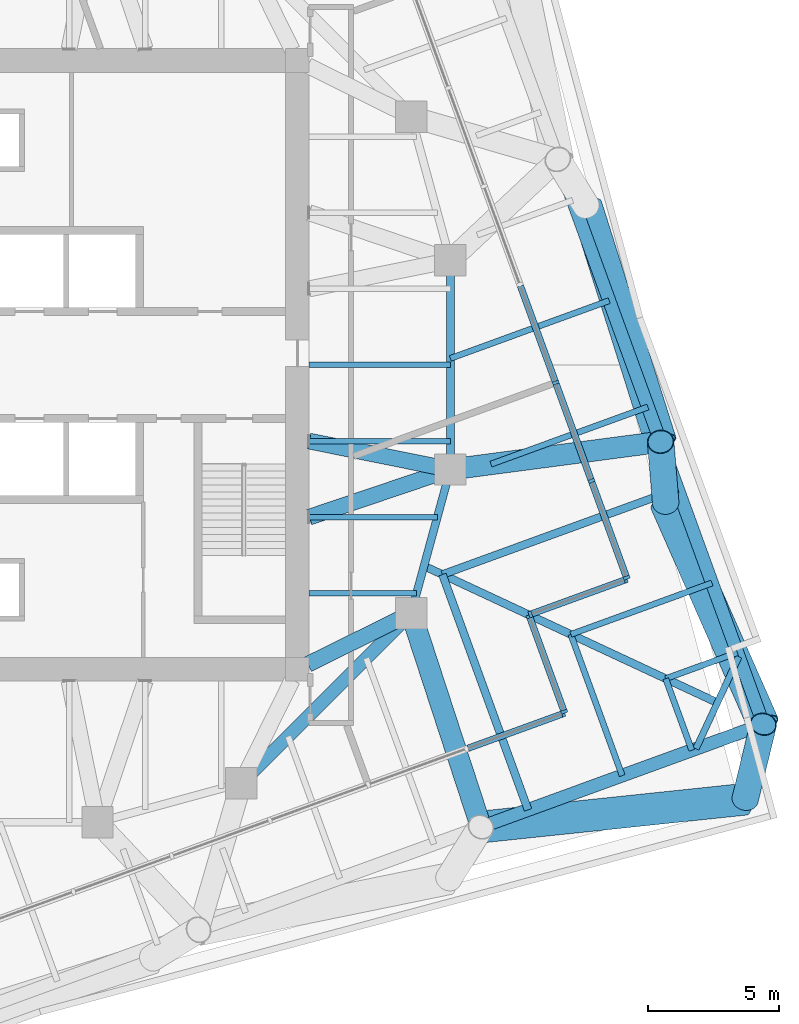
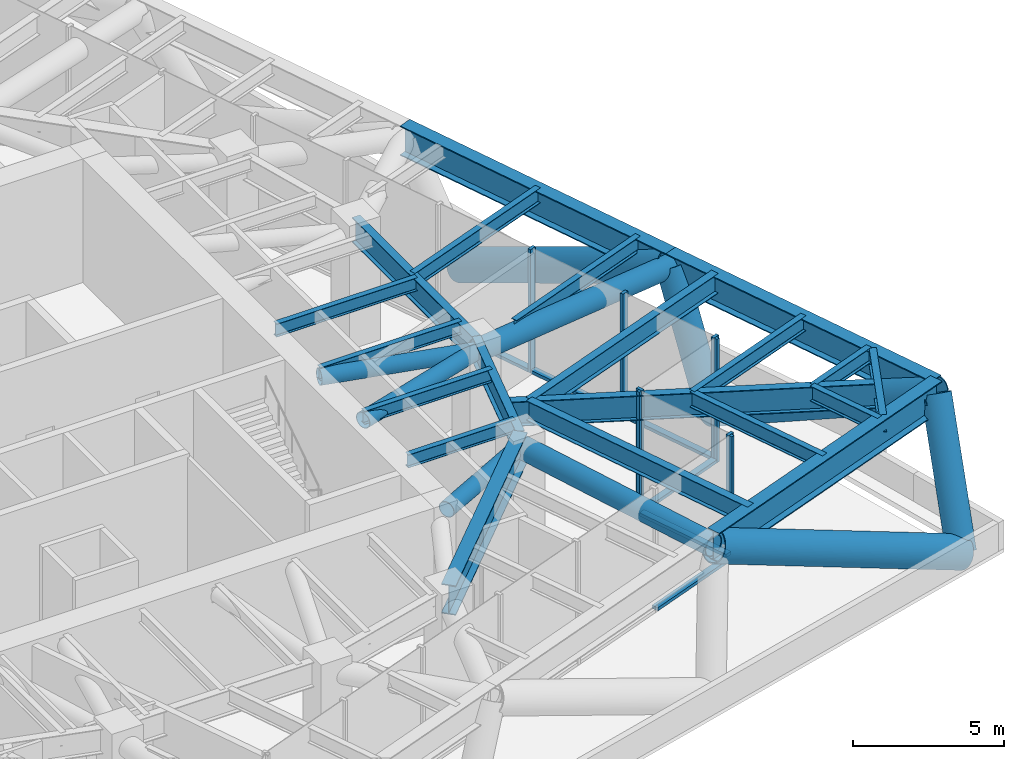
# One storey, part 3 of 12: 24 members, 20 beams, 4 elements without a shape of their own.
"""IFC4 building model written with IfcOpenShell, lengths in metres."""

from ifc_helpers import new_model, si_unit, direction, frame, origin, origin_2d, place, context, subcontext, project, spatial, rectangle, hollow_circle, i_section, extrude, material, material_profile, profile_set, type_object, element, aggregate, save


model = new_model("IFC4")

# Units and contexts
model_context = context("Model", 3, precision=1e-05, world=origin(), true_north=direction((0.0, 1.0)))
body_context = subcontext(model_context, "Body", "Model", "MODEL_VIEW")
ifc_project = project(units=[si_unit("LENGTHUNIT", "METRE"), si_unit("AREAUNIT", "SQUARE_METRE"), si_unit("VOLUMEUNIT", "CUBIC_METRE"), si_unit("PLANEANGLEUNIT", "RADIAN"), si_unit("MASSUNIT", "GRAM", prefix="KILO")], contexts=[model_context])

# Site, building, storey
site_placement = place(None, origin())
site = spatial("IfcSite", under=ifc_project, at=site_placement, CompositionType="ELEMENT")
building_placement = place(site_placement, origin())
building = spatial("IfcBuilding", under=site, at=building_placement, Name="Torsade Residences", CompositionType="ELEMENT")
storey_placement = place(building_placement, frame((0.0, 0.0, 138.800048828125)))
storey = spatial("IfcBuildingStorey", under=building, at=storey_placement, Name="L38", CompositionType="ELEMENT", Elevation=138.800048828125)

# Beams
ifc_material_1 = material(Name="Steel grade 300", Category="steel")
ifc_material_profile_1 = material_profile(ifc_material_1, i_section(OverallWidth=0.300048828125, OverallDepth=1.0, WebThickness=0.01611328125, FlangeThickness=0.028076171875, at=origin_2d()), Name="1000WB215")
ifc_profile_set_1 = profile_set([ifc_material_profile_1], Name="Steel grade 300")
beam_type_1 = type_object("IfcBeamType", Name="CORNER GIRDER 1000WB215", PredefinedType="BEAM", material=ifc_profile_set_1)
beam_1_placement = place(storey_placement, frame((67.717041015625, 17.075439453125, 4.349853515625), z_axis=(-0.906308509373, 0.422616712682, 0.0), x_axis=(-0.422616712682, -0.906308509373, 0.0)))
element("IfcBeam", 1, at=beam_1_placement, inside=storey, type_object=beam_type_1, Name="Corner girder 05 L39", PredefinedType="BEAM", context=body_context, shape_type="SweptSolid", body=[
    extrude(i_section(OverallWidth=0.300048828125, OverallDepth=1.0, WebThickness=0.01611328125, FlangeThickness=0.028076171875, at=origin_2d()), origin(), (0.0, 0.0, 1.0), 12.3837890625),
])
ifc_material_2 = material(Name="Steel grade 300", Category="steel")
ifc_material_profile_2 = material_profile(ifc_material_2, i_section(OverallWidth=0.25, OverallDepth=0.699951171875, WebThickness=0.010009765625, FlangeThickness=0.02001953125, at=origin_2d()), Name="700WB130")
ifc_profile_set_2 = profile_set([ifc_material_profile_2], Name="Steel grade 300")
beam_type_2 = type_object("IfcBeamType", Name="CORNER TRIMMER 700WB130", PredefinedType="BEAM", material=ifc_profile_set_2)
beam_2_placement = place(storey_placement, frame((68.538818359375, 18.837646484375, 4.5), z_axis=(-0.422613947806, -0.906309798645, 0.0), x_axis=(0.906309798645, -0.422613947806, 0.0)))
element("IfcBeam", 2, at=beam_2_placement, inside=storey, type_object=beam_type_2, Name="Corner trimmer 05 L39", PredefinedType="BEAM", context=body_context, shape_type="SweptSolid", body=[
    extrude(i_section(OverallWidth=0.25, OverallDepth=0.699951171875, WebThickness=0.010009765625, FlangeThickness=0.02001953125, at=origin_2d()), origin(), (0.0, 0.0, 1.0), 3.888916015625),
])
ifc_material_3 = material(Name="Steel grade 300", Category="steel")
ifc_material_profile_3 = material_profile(ifc_material_3, i_section(OverallWidth=0.208984375, OverallDepth=0.528076171875, WebThickness=0.009521484375, FlangeThickness=0.01318359375, FilletRadius=0.013916015625, at=origin_2d()), Name="530UB82.0")
ifc_profile_set_3 = profile_set([ifc_material_profile_3], Name="Steel grade 300")
beam_type_3 = type_object("IfcBeamType", Name="INNER FLOOR BEAM 530UB82.0", PredefinedType="JOIST", material=ifc_profile_set_3)
beam_3_placement = place(storey_placement, frame((52.10009765625, 21.262451171875, 4.5859375), z_axis=(1.0, 0.0, 0.0), x_axis=(0.0, 1.0, 0.0)))
element("IfcBeam", 3, at=beam_3_placement, inside=storey, type_object=beam_type_3, Name="Inner floor beam IE01 L39", PredefinedType="JOIST", context=body_context, shape_type="SweptSolid", body=[
    extrude(i_section(OverallWidth=0.208984375, OverallDepth=0.528076171875, WebThickness=0.009521484375, FlangeThickness=0.01318359375, FilletRadius=0.013916015625, at=origin_2d()), origin(), (0.0, 0.0, 1.0), 4.10791015625),
])
beam_4_placement = place(storey_placement, frame((52.10009765625, 24.175048828125, 4.5859375), z_axis=(1.0, 0.0, 0.0), x_axis=(0.0, 1.0, 0.0)))
element("IfcBeam", 4, at=beam_4_placement, inside=storey, type_object=beam_type_3, Name="Inner floor beam IE02 L39", PredefinedType="JOIST", context=body_context, shape_type="SweptSolid", body=[
    extrude(i_section(OverallWidth=0.208984375, OverallDepth=0.528076171875, WebThickness=0.009521484375, FlangeThickness=0.01318359375, FilletRadius=0.013916015625, at=origin_2d()), origin(), (0.0, 0.0, 1.0), 4.902099609375),
])
for number, where, z_axis, x_axis, name in (
    (5, (52.10009765625, 27.08740234375, 4.5859375), (1.0, 0.0, 0.0), (0.0, 1.0, 0.0), "Inner floor beam IE03 L39"),
    (6, (52.10009765625, 30.0, 4.5859375), (1.0, 0.0, 0.0), (0.0, 1.0, 0.0), "Inner floor beam IE04 L39"),
):
    element("IfcBeam", number, at=place(storey_placement, frame(where, z_axis=z_axis, x_axis=x_axis)), inside=storey, type_object=beam_type_3, Name=name, PredefinedType="JOIST", context=body_context, shape_type="SweptSolid", body=[
        extrude(i_section(OverallWidth=0.208984375, OverallDepth=0.528076171875, WebThickness=0.009521484375, FlangeThickness=0.01318359375, FilletRadius=0.013916015625, at=origin_2d()), origin(), (0.0, 0.0, 1.0), 5.39990234375),
    ])
ifc_material_4 = material(Name="Steel grade 300", Category="steel")
ifc_material_profile_4 = material_profile(ifc_material_4, i_section(OverallWidth=0.5, OverallDepth=1.199951171875, WebThickness=0.01611328125, FlangeThickness=0.0400390625, at=origin_2d()), Name="1200WB455")
ifc_profile_set_4 = profile_set([ifc_material_profile_4], Name="Steel grade 300")
beam_type_4 = type_object("IfcBeamType", Name="RING CORNER GIRDER 1200WB455", PredefinedType="BEAM", material=ifc_profile_set_4)
beam_5_placement = place(storey_placement, frame((49.5, 14.0, 4.25), z_axis=(0.707106781187, 0.707106781187, 0.0), x_axis=(-0.707106781187, 0.707106781187, 0.0)))
element("IfcBeam", 7, at=beam_5_placement, inside=storey, type_object=beam_type_4, Name="Ring girder IR15 L39", PredefinedType="BEAM", context=body_context, shape_type="SweptSolid", body=[
    extrude(i_section(OverallWidth=0.5, OverallDepth=1.199951171875, WebThickness=0.01611328125, FlangeThickness=0.0400390625, at=origin_2d()), origin(), (0.0, 0.0, 1.0), 9.1923828125),
])
ifc_material_5 = material(Name="Steel grade 300", Category="steel")
ifc_material_profile_5 = material_profile(ifc_material_5, i_section(OverallWidth=0.300048828125, OverallDepth=1.0, WebThickness=0.01611328125, FlangeThickness=0.028076171875, at=origin_2d()), Name="1000WB215")
ifc_profile_set_5 = profile_set([ifc_material_profile_5], Name="Steel grade 300")
beam_type_5 = type_object("IfcBeamType", Name="RING GIRDER 1000WB215", PredefinedType="BEAM", material=ifc_profile_set_5)
beam_6_placement = place(storey_placement, frame((57.5, 26.0, 4.349853515625), z_axis=(0.0, 1.0, 0.0), x_axis=(-1.0, 0.0, 0.0)))
element("IfcBeam", 8, at=beam_6_placement, inside=storey, type_object=beam_type_5, Name="Ring girder IR01 L39", PredefinedType="BEAM", context=body_context, shape_type="SweptSolid", body=[
    extrude(i_section(OverallWidth=0.300048828125, OverallDepth=1.0, WebThickness=0.01611328125, FlangeThickness=0.028076171875, at=origin_2d()), origin(), (0.0, 0.0, 1.0), 8.0),
])
beam_7_placement = place(storey_placement, frame((56.0, 20.5, 4.349853515625), z_axis=(0.263117405792, 0.964763821238, 0.0), x_axis=(-0.964763821238, 0.263117405792, 0.0)))
element("IfcBeam", 9, at=beam_7_placement, inside=storey, type_object=beam_type_5, Name="Ring girder IR16 L39", PredefinedType="BEAM", context=body_context, shape_type="SweptSolid", body=[
    extrude(i_section(OverallWidth=0.300048828125, OverallDepth=1.0, WebThickness=0.01611328125, FlangeThickness=0.028076171875, at=origin_2d()), origin(), (0.0, 0.0, 1.0), 5.700927734375),
])
ifc_material_6 = material(Name="Steel grade 300", Category="steel")
ifc_material_profile_6 = material_profile(ifc_material_6, i_section(OverallWidth=0.22900390625, OverallDepth=0.612060546875, WebThickness=0.011962890625, FlangeThickness=0.01953125, FilletRadius=0.013916015625, at=origin_2d()), Name="610UB125")
ifc_profile_set_6 = profile_set([ifc_material_profile_6], Name="Steel grade 300")
beam_type_6 = type_object("IfcBeamType", Name="SECONDARY BEAM 610UB125", PredefinedType="JOIST", material=ifc_profile_set_6)
beam_8_placement = place(storey_placement, frame((64.076171875, 14.286865234375, 4.5439453125), z_axis=(-0.342005550448, 0.939697932031, 0.0), x_axis=(-0.939697932031, -0.342005550448, 0.0)))
element("IfcBeam", 10, at=beam_8_placement, inside=storey, type_object=beam_type_6, Name="Floor beam FS11 L39", PredefinedType="JOIST", context=body_context, shape_type="SweptSolid", body=[
    extrude(i_section(OverallWidth=0.22900390625, OverallDepth=0.612060546875, WebThickness=0.011962890625, FlangeThickness=0.01953125, FilletRadius=0.013916015625, at=origin_2d()), origin(), (0.0, 0.0, 1.0), 5.75),
])
for number, where, z_axis, x_axis, name in (
    (11, (66.738525390625, 15.255859375, 4.5439453125), (-0.341998427281, 0.939700524495, 0.0), (-0.939700524495, -0.341998427281, 0.0), "Floor beam FS12 L39"),
    (12, (68.48193359375, 18.994384765625, 4.5439453125), (-0.939700524495, -0.341998427281, 0.0), (0.341998427281, -0.939700524495, 0.0), "Floor beam FE01 L39"),
):
    element("IfcBeam", number, at=place(storey_placement, frame(where, z_axis=z_axis, x_axis=x_axis)), inside=storey, type_object=beam_type_6, Name=name, PredefinedType="JOIST", context=body_context, shape_type="SweptSolid", body=[
        extrude(i_section(OverallWidth=0.22900390625, OverallDepth=0.612060546875, WebThickness=0.011962890625, FlangeThickness=0.01953125, FilletRadius=0.013916015625, at=origin_2d()), origin(), (0.0, 0.0, 1.0), 2.916748046875),
    ])
beam_9_placement = place(storey_placement, frame((67.5126953125, 21.65673828125, 4.5439453125), z_axis=(-0.939692965423, -0.342019196443, 0.0), x_axis=(0.342019196443, -0.939692965423, 0.0)))
element("IfcBeam", 13, at=beam_9_placement, inside=storey, type_object=beam_type_6, Name="Floor beam FE02 L39", PredefinedType="JOIST", context=body_context, shape_type="SweptSolid", body=[
    extrude(i_section(OverallWidth=0.22900390625, OverallDepth=0.612060546875, WebThickness=0.011962890625, FlangeThickness=0.01953125, FilletRadius=0.013916015625, at=origin_2d()), origin(), (0.0, 0.0, 1.0), 5.749755859375),
])
beam_10_placement = place(storey_placement, frame((65.0615234375, 28.39111328125, 4.5439453125), z_axis=(-0.939698605846, -0.342003699059, 0.0), x_axis=(0.342003699059, -0.939698605846, 0.0)))
element("IfcBeam", 14, at=beam_10_placement, inside=storey, type_object=beam_type_6, Name="Floor beam FE04 L39", PredefinedType="JOIST", context=body_context, shape_type="SweptSolid", body=[
    extrude(i_section(OverallWidth=0.22900390625, OverallDepth=0.612060546875, WebThickness=0.011962890625, FlangeThickness=0.01953125, FilletRadius=0.013916015625, at=origin_2d()), origin(), (0.0, 0.0, 1.0), 6.392578125),
])
beam_11_placement = place(storey_placement, frame((63.57958984375, 32.463134765625, 4.5439453125), z_axis=(-0.939699737026, -0.342000590983, 0.0), x_axis=(0.342000590983, -0.939699737026, 0.0)))
element("IfcBeam", 15, at=beam_11_placement, inside=storey, type_object=beam_type_6, Name="Floor beam FE05 L39", PredefinedType="JOIST", context=body_context, shape_type="SweptSolid", body=[
    extrude(i_section(OverallWidth=0.22900390625, OverallDepth=0.612060546875, WebThickness=0.011962890625, FlangeThickness=0.01953125, FilletRadius=0.013916015625, at=origin_2d()), origin(), (0.0, 0.0, 1.0), 6.4697265625),
])
ifc_material_7 = material(Name="Steel grade 300", Category="steel")
ifc_material_profile_7 = material_profile(ifc_material_7, i_section(OverallWidth=0.300048828125, OverallDepth=0.800048828125, WebThickness=0.010009765625, FlangeThickness=0.02001953125, at=origin_2d()), Name="800WB146")
ifc_profile_set_7 = profile_set([ifc_material_profile_7], Name="Steel grade 300")
beam_type_7 = type_object("IfcBeamType", Name="SECONDARY BEAM 800WB146", PredefinedType="JOIST", material=ifc_profile_set_7)
for number, where, z_axis, x_axis, name in (
    (16, (60.47412109375, 12.975830078125, 4.449951171875), (-0.342033504181, 0.939687757725, 0.0), (-0.939687757725, -0.342033504181, 0.0), "Floor beam FS10 L39"),
    (17, (66.20166015625, 25.259033203125, 4.449951171875), (-0.939687757725, -0.342033504181, 0.0), (0.342033504181, -0.939687757725, 0.0), "Floor beam FE03 L39"),
):
    element("IfcBeam", number, at=place(storey_placement, frame(where, z_axis=z_axis, x_axis=x_axis)), inside=storey, type_object=beam_type_7, Name=name, PredefinedType="JOIST", context=body_context, shape_type="SweptSolid", body=[
        extrude(i_section(OverallWidth=0.300048828125, OverallDepth=0.800048828125, WebThickness=0.010009765625, FlangeThickness=0.02001953125, at=origin_2d()), origin(), (0.0, 0.0, 1.0), 9.583251953125),
    ])

# Curtain wall, member
ifc_material_8 = material(Name="Aluminium and glass", Category="aluminium")
curtain_wall_type = type_object("IfcCurtainWallType", Name="SKY LOUNGE CURTAIN WALL", PredefinedType="NOTDEFINED", material=ifc_material_8)
curtain_wall_1_placement = place(storey_placement, origin())
curtain_wall_1 = element("IfcCurtainWall", 18, at=curtain_wall_1_placement, inside=storey, type_object=curtain_wall_type, Name="Curtain wall L38 face 1", PredefinedType="NOTDEFINED")
ifc_material_9 = material(Name="Aluminium mullion", Category="aluminium")
ifc_material_profile_8 = material_profile(ifc_material_9, rectangle(XDim=0.25, YDim=0.1201171875, at=origin_2d()), Name="SKY LOUNGE CURTAIN WALL MULLION 250x120")
ifc_profile_set_8 = profile_set([ifc_material_profile_8], Name="Aluminium mullion")
member_type_1 = type_object("IfcMemberType", Name="SKY LOUNGE CURTAIN WALL MULLION 250x120", PredefinedType="MULLION", material=ifc_profile_set_8)
member_1_placement = place(storey_placement, frame((61.819091796875, 16.657958984375, 0.0), z_axis=(0.0, 0.0, 1.0), x_axis=(-0.342020153379, 0.939692617127, 0.0)))
member_1 = element("IfcMember", 19, at=member_1_placement, type_object=member_type_1, Name="Mullion 9", PredefinedType="MULLION", context=body_context, shape_type="SweptSolid", body=[
    extrude(rectangle(XDim=0.25, YDim=0.1201171875, at=origin_2d()), origin(), (0.0, 0.0, 1.0), 5.0),
])

# Curtain wall, members
curtain_wall_2_placement = place(storey_placement, origin())
curtain_wall_2 = element("IfcCurtainWall", 20, at=curtain_wall_2_placement, inside=storey, type_object=curtain_wall_type, Name="Curtain wall L38 face 2", PredefinedType="NOTDEFINED")
member_2_placement = place(storey_placement, frame((61.85498046875, 16.73486328125, 0.0), z_axis=(0.0, 0.0, 1.0), x_axis=(-0.939692572374, -0.342020276336, 0.0)))
member_2 = element("IfcMember", 21, at=member_2_placement, type_object=member_type_1, Name="Mullion 1", PredefinedType="MULLION", context=body_context, shape_type="SweptSolid", body=[
    extrude(rectangle(XDim=0.25, YDim=0.1201171875, at=origin_2d()), origin(), (0.0, 0.0, 1.0), 5.0),
])
member_3_placement = place(storey_placement, frame((60.52783203125, 20.380859375, 0.0), z_axis=(0.0, 0.0, 1.0), x_axis=(-0.939692572374, -0.342020276336, 0.0)))
member_3 = element("IfcMember", 22, at=member_3_placement, type_object=member_type_1, Name="Mullion 2", PredefinedType="MULLION", context=body_context, shape_type="SweptSolid", body=[
    extrude(rectangle(XDim=0.25, YDim=0.1201171875, at=origin_2d()), origin(), (0.0, 0.0, 1.0), 5.0),
])

curtain_wall_3_placement = place(storey_placement, origin())
curtain_wall_3 = element("IfcCurtainWall", 23, at=curtain_wall_3_placement, inside=storey, type_object=curtain_wall_type, Name="Curtain wall L38 face 3", PredefinedType="NOTDEFINED")
member_4_placement = place(storey_placement, frame((60.563720703125, 20.457763671875, 0.0), z_axis=(0.0, 0.0, 1.0), x_axis=(-0.342020195988, 0.939692601618, 0.0)))
member_4 = element("IfcMember", 24, at=member_4_placement, type_object=member_type_1, Name="Mullion 1", PredefinedType="MULLION", context=body_context, shape_type="SweptSolid", body=[
    extrude(rectangle(XDim=0.25, YDim=0.1201171875, at=origin_2d()), origin(), (0.0, 0.0, 1.0), 5.0),
])
member_5_placement = place(storey_placement, frame((64.209716796875, 21.784912109375, 0.0), z_axis=(0.0, 0.0, 1.0), x_axis=(-0.342020195988, 0.939692601618, 0.0)))
member_5 = element("IfcMember", 25, at=member_5_placement, type_object=member_type_1, Name="Mullion 2", PredefinedType="MULLION", context=body_context, shape_type="SweptSolid", body=[
    extrude(rectangle(XDim=0.25, YDim=0.1201171875, at=origin_2d()), origin(), (0.0, 0.0, 1.0), 5.0),
])

curtain_wall_4_placement = place(storey_placement, origin())
curtain_wall_4 = element("IfcCurtainWall", 26, at=curtain_wall_4_placement, inside=storey, type_object=curtain_wall_type, Name="Curtain wall L38 face 4", PredefinedType="NOTDEFINED")
member_6_placement = place(storey_placement, frame((64.24560546875, 21.86181640625, 0.0), z_axis=(0.0, 0.0, 1.0), x_axis=(-0.939692617127, -0.342020153379, 0.0)))
member_6 = element("IfcMember", 27, at=member_6_placement, type_object=member_type_1, Name="Mullion 1", PredefinedType="MULLION", context=body_context, shape_type="SweptSolid", body=[
    extrude(rectangle(XDim=0.25, YDim=0.1201171875, at=origin_2d()), origin(), (0.0, 0.0, 1.0), 5.0),
])
member_7_placement = place(storey_placement, frame((62.898193359375, 25.564208984375, 0.0), z_axis=(0.0, 0.0, 1.0), x_axis=(-0.939692617127, -0.342020153379, 0.0)))
member_7 = element("IfcMember", 28, at=member_7_placement, type_object=member_type_1, Name="Mullion 2", PredefinedType="MULLION", context=body_context, shape_type="SweptSolid", body=[
    extrude(rectangle(XDim=0.25, YDim=0.1201171875, at=origin_2d()), origin(), (0.0, 0.0, 1.0), 5.0),
])
member_8_placement = place(storey_placement, frame((61.530029296875, 29.32275390625, 0.0), z_axis=(0.0, 0.0, 1.0), x_axis=(-0.939692617127, -0.342020153379, 0.0)))
member_8 = element("IfcMember", 29, at=member_8_placement, type_object=member_type_1, Name="Mullion 3", PredefinedType="MULLION", context=body_context, shape_type="SweptSolid", body=[
    extrude(rectangle(XDim=0.25, YDim=0.1201171875, at=origin_2d()), origin(), (0.0, 0.0, 1.0), 5.0),
])

# Member
ifc_material_10 = material(Name="Aluminium transom", Category="aluminium")
ifc_material_profile_9 = material_profile(ifc_material_10, rectangle(XDim=0.25, YDim=0.1298828125, at=origin_2d()), Name="SKY LOUNGE CURTAIN WALL TRANSOM 250x130")
ifc_profile_set_9 = profile_set([ifc_material_profile_9], Name="Aluminium transom")
member_type_2 = type_object("IfcMemberType", Name="SKY LOUNGE CURTAIN WALL TRANSOM 250x130", PredefinedType="USERDEFINED", material=ifc_profile_set_9)
member_9_placement = place(storey_placement, frame((58.173095703125, 15.330810546875, 0.06494140625), z_axis=(0.939681412418, 0.342050936493, 0.0), x_axis=(-0.342050936493, 0.939681412418, 0.0)))
member_9 = element("IfcMember", 30, at=member_9_placement, type_object=member_type_2, Name="Transom 8.1", ObjectType="TRANSOM", PredefinedType="USERDEFINED", context=body_context, shape_type="SweptSolid", body=[
    extrude(rectangle(XDim=0.25, YDim=0.1298828125, at=origin_2d()), origin(), (0.0, 0.0, 1.0), 3.820068359375),
])

aggregate(curtain_wall_1, [member_1, member_9])

member_10_placement = place(storey_placement, frame((61.83447265625, 16.791259765625, 0.06494140625), z_axis=(-0.342055849832, 0.939679623912, 0.0), x_axis=(-0.939679623912, -0.342055849832, 0.0)))
member_10 = element("IfcMember", 31, at=member_10_placement, type_object=member_type_2, Name="Transom 1.1", ObjectType="TRANSOM", PredefinedType="USERDEFINED", context=body_context, shape_type="SweptSolid", body=[
    extrude(rectangle(XDim=0.25, YDim=0.1298828125, at=origin_2d()), origin(), (0.0, 0.0, 1.0), 3.760009765625),
])

aggregate(curtain_wall_2, [member_2, member_3, member_10])

member_11_placement = place(storey_placement, frame((60.6201171875, 20.478271484375, 0.06494140625), z_axis=(0.939700492897, 0.341998514102, 0.0), x_axis=(-0.341998514102, 0.939700492897, 0.0)))
member_11 = element("IfcMember", 32, at=member_11_placement, type_object=member_type_2, Name="Transom 1.1", ObjectType="TRANSOM", PredefinedType="USERDEFINED", context=body_context, shape_type="SweptSolid", body=[
    extrude(rectangle(XDim=0.25, YDim=0.1298828125, at=origin_2d()), origin(), (0.0, 0.0, 1.0), 3.760009765625),
])

aggregate(curtain_wall_3, [member_4, member_5, member_11])

member_12_placement = place(storey_placement, frame((64.22509765625, 21.91796875, 0.06494140625), z_axis=(-0.341973962761, 0.939709427852, 0.0), x_axis=(-0.939709427852, -0.341973962761, 0.0)))
member_12 = element("IfcMember", 33, at=member_12_placement, type_object=member_type_2, Name="Transom 1.1", ObjectType="TRANSOM", PredefinedType="USERDEFINED", context=body_context, shape_type="SweptSolid", body=[
    extrude(rectangle(XDim=0.25, YDim=0.1298828125, at=origin_2d()), origin(), (0.0, 0.0, 1.0), 3.820068359375),
])

member_13_placement = place(storey_placement, frame((62.877685546875, 25.620361328125, 0.06494140625), z_axis=(-0.342025952039, 0.939690506567, 0.0), x_axis=(-0.939690506567, -0.342025952039, 0.0)))
member_13 = element("IfcMember", 34, at=member_13_placement, type_object=member_type_2, Name="Transom 2.1", ObjectType="TRANSOM", PredefinedType="USERDEFINED", context=body_context, shape_type="SweptSolid", body=[
    extrude(rectangle(XDim=0.25, YDim=0.1298828125, at=origin_2d()), origin(), (0.0, 0.0, 1.0), 3.88037109375),
])

member_14_placement = place(storey_placement, frame((61.509521484375, 29.379150390625, 0.06494140625), z_axis=(-0.342046175128, 0.939683145577, 0.0), x_axis=(-0.939683145577, -0.342046175128, 0.0)))
member_14 = element("IfcMember", 35, at=member_14_placement, type_object=member_type_2, Name="Transom 3.1", ObjectType="TRANSOM", PredefinedType="USERDEFINED", context=body_context, shape_type="SweptSolid", body=[
    extrude(rectangle(XDim=0.25, YDim=0.1298828125, at=origin_2d()), origin(), (0.0, 0.0, 1.0), 3.880126953125),
])

aggregate(curtain_wall_4, [member_6, member_7, member_8, member_12, member_13, member_14])

# Members
ifc_material_11 = material(Name="Steel grade 450", Category="steel")
ifc_material_profile_10 = material_profile(ifc_material_11, hollow_circle(Radius=0.304931640625, WallThickness=0.01611328125, at=origin_2d()), Name="610.0x16.0CHS")
ifc_profile_set_10 = profile_set([ifc_material_profile_10], Name="Steel grade 450")
member_type_3 = type_object("IfcMemberType", Name="TRANSFER FLOOR BRACE 610.0x16.0CHS", PredefinedType="BRACE", material=ifc_profile_set_10)
member_15_placement = place(storey_placement, frame((57.5, 26.0, 4.25), z_axis=(-0.97976207845, 0.197299045909, 0.03375434957), x_axis=(-0.197411538983, -0.980320704809, 0.0)))
element("IfcMember", 36, at=member_15_placement, inside=storey, type_object=member_type_3, Name="Transfer floor brace TT4 top IR01IE03", PredefinedType="BRACE", context=body_context, shape_type="SweptSolid", body=[
    extrude(hollow_circle(Radius=0.304931640625, WallThickness=0.01611328125, at=origin_2d()), origin(), (0.0, 0.0, 1.0), 5.511474609375),
])
member_16_placement = place(storey_placement, frame((57.5, 26.0, 4.25), z_axis=(-0.946855969774, -0.319999474368, 0.032620682203), x_axis=(0.320169867513, -0.947360151124, 0.0)))
element("IfcMember", 37, at=member_16_placement, inside=storey, type_object=member_type_3, Name="Transfer floor brace TT4 top IR01IE02", PredefinedType="BRACE", context=body_context, shape_type="SweptSolid", body=[
    extrude(hollow_circle(Radius=0.304931640625, WallThickness=0.01611328125, at=origin_2d()), origin(), (0.0, 0.0, 1.0), 5.702880859375),
])
member_17_placement = place(storey_placement, frame((56.0, 20.5, 4.25), z_axis=(-0.896469701914, -0.443105036702, 0.0), x_axis=(0.443105036702, -0.896469701914, 0.0)))
element("IfcMember", 38, at=member_17_placement, inside=storey, type_object=member_type_3, Name="Transfer floor brace TT4 top IR16C", PredefinedType="BRACE", context=body_context, shape_type="SweptSolid", body=[
    extrude(hollow_circle(Radius=0.304931640625, WallThickness=0.01611328125, at=origin_2d()), origin(), (0.0, 0.0, 1.0), 4.40234375),
])
ifc_material_12 = material(Name="Steel grade 450", Category="steel")
ifc_material_profile_11 = material_profile(ifc_material_12, hollow_circle(Radius=0.406494140625, WallThickness=0.02490234375, at=origin_2d()), Name="813.0x25.0CHS")
ifc_profile_set_11 = profile_set([ifc_material_profile_11], Name="Steel grade 450")
member_type_4 = type_object("IfcMemberType", Name="TRANSFER FLOOR STRUT 813.0x25.0CHS", PredefinedType="STRUT", material=ifc_profile_set_11)
member_18_placement = place(storey_placement, frame((58.6728515625, 12.3203125, 4.25), z_axis=(-0.310604780972, 0.95053914703, 0.0), x_axis=(-0.95053914703, -0.310604780972, 0.0)))
element("IfcMember", 39, at=member_18_placement, inside=storey, type_object=member_type_4, Name="Transfer floor strut TT4 top 04IR16", PredefinedType="STRUT", context=body_context, shape_type="SweptSolid", body=[
    extrude(hollow_circle(Radius=0.406494140625, WallThickness=0.02490234375, at=origin_2d()), origin(), (0.0, 0.0, 1.0), 8.605224609375),
])
member_19_placement = place(storey_placement, frame((65.546142578125, 27.06005859375, 4.25), z_axis=(-0.991432677347, -0.130618705739, 0.0), x_axis=(0.130618705739, -0.991432677347, 0.0)))
element("IfcMember", 40, at=member_19_placement, inside=storey, type_object=member_type_4, Name="Transfer floor strut TT4 top 06IR01", PredefinedType="STRUT", context=body_context, shape_type="SweptSolid", body=[
    extrude(hollow_circle(Radius=0.406494140625, WallThickness=0.02490234375, at=origin_2d()), origin(), (0.0, 0.0, 1.0), 8.11572265625),
])

# Beams
ifc_material_13 = material(Name="Steel grade 300", Category="steel")
ifc_material_profile_12 = material_profile(ifc_material_13, i_section(OverallWidth=0.5, OverallDepth=1.199951171875, WebThickness=0.01611328125, FlangeThickness=0.0400390625, at=origin_2d()), Name="1200WB455")
ifc_profile_set_12 = profile_set([ifc_material_profile_12], Name="Steel grade 300")
beam_type_8 = type_object("IfcBeamType", Name="TRANSFER TRUSS CHORD 1200WB455", PredefinedType="USERDEFINED", material=ifc_profile_set_12)
beam_12_placement = place(storey_placement, frame((58.6728515625, 12.3203125, 4.25), z_axis=(0.939697932031, 0.342005550448, 0.0), x_axis=(-0.342005550448, 0.939697932031, 0.0)))
element("IfcBeam", 41, at=beam_12_placement, inside=storey, type_object=beam_type_8, Name="Transfer truss TT4 top chord 04", ObjectType="TRANSFER TRUSS CHORD", PredefinedType="USERDEFINED", context=body_context, shape_type="SweptSolid", body=[
    extrude(i_section(OverallWidth=0.5, OverallDepth=1.199951171875, WebThickness=0.01611328125, FlangeThickness=0.0400390625, at=origin_2d()), origin(), (0.0, 0.0, 1.0), 11.5),
])
beam_13_placement = place(storey_placement, frame((69.4794921875, 16.25341796875, 4.25), z_axis=(-0.342024296483, 0.93969110915, 0.0), x_axis=(-0.93969110915, -0.342024296483, 0.0)))
element("IfcBeam", 42, at=beam_13_placement, inside=storey, type_object=beam_type_8, Name="Transfer truss TT4 top chord 05", ObjectType="TRANSFER TRUSS CHORD", PredefinedType="USERDEFINED", context=body_context, shape_type="SweptSolid", body=[
    extrude(i_section(OverallWidth=0.5, OverallDepth=1.199951171875, WebThickness=0.01611328125, FlangeThickness=0.0400390625, at=origin_2d()), origin(), (0.0, 0.0, 1.0), 11.500244140625),
])
beam_14_placement = place(storey_placement, frame((65.546142578125, 27.06005859375, 4.25), z_axis=(-0.342012373318, 0.939695448801, 0.0), x_axis=(-0.939695448801, -0.342012373318, 0.0)))
element("IfcBeam", 43, at=beam_14_placement, inside=storey, type_object=beam_type_8, Name="Transfer truss TT4 top chord 06", ObjectType="TRANSFER TRUSS CHORD", PredefinedType="USERDEFINED", context=body_context, shape_type="SweptSolid", body=[
    extrude(i_section(OverallWidth=0.5, OverallDepth=1.199951171875, WebThickness=0.01611328125, FlangeThickness=0.0400390625, at=origin_2d()), origin(), (0.0, 0.0, 1.0), 11.5),
])

# Members
ifc_material_14 = material(Name="Steel grade 450", Category="steel")
ifc_material_profile_13 = material_profile(ifc_material_14, hollow_circle(Radius=0.609619140625, WallThickness=0.0400390625, at=origin_2d()), Name="1219.0x40.0CHS")
ifc_profile_set_13 = profile_set([ifc_material_profile_13], Name="Steel grade 450")
member_type_5 = type_object("IfcMemberType", Name="TRANSFER TRUSS DIAGONAL 1219.0x40.0CHS", PredefinedType="BRACE", material=ifc_profile_set_13)
member_20_placement = place(storey_placement, frame((68.781494140625, 13.383056640625, -0.199951171875), z_axis=(-0.911035575371, -0.095779202019, 0.401049279852), x_axis=(0.104556000724, -0.99451900068, 0.0)))
element("IfcMember", 44, at=member_20_placement, inside=storey, type_object=member_type_5, Name="Transfer truss TT4 diagonal 04", PredefinedType="BRACE", context=body_context, shape_type="SweptSolid", body=[
    extrude(hollow_circle(Radius=0.609619140625, WallThickness=0.0400390625, at=origin_2d()), origin(), (0.0, 0.0, 1.0), 11.095703125),
])
member_21_placement = place(storey_placement, frame((65.740478515625, 24.732666015625, -0.199951171875), z_axis=(0.36371463984, -0.824823581866, 0.432871481578), x_axis=(0.914990755419, 0.403474804044, 0.0)))
element("IfcMember", 45, at=member_21_placement, inside=storey, type_object=member_type_5, Name="Transfer truss TT4 diagonal 05", PredefinedType="BRACE", context=body_context, shape_type="SweptSolid", body=[
    extrude(hollow_circle(Radius=0.609619140625, WallThickness=0.0400390625, at=origin_2d()), origin(), (0.0, 0.0, 1.0), 10.280029296875),
])
member_22_placement = place(storey_placement, frame((62.69921875, 36.082275390625, -0.199951171875), z_axis=(0.272302101143, -0.862955505338, 0.425628196341), x_axis=(0.953649333535, 0.300920169892, 0.0)))
element("IfcMember", 46, at=member_22_placement, inside=storey, type_object=member_type_5, Name="Transfer truss TT4 diagonal 06", PredefinedType="BRACE", context=body_context, shape_type="SweptSolid", body=[
    extrude(hollow_circle(Radius=0.609619140625, WallThickness=0.0400390625, at=origin_2d()), origin(), (0.0, 0.0, 1.0), 10.455078125),
])
ifc_material_15 = material(Name="Steel grade 450", Category="steel")
ifc_material_profile_14 = material_profile(ifc_material_15, hollow_circle(Radius=0.508056640625, WallThickness=0.031982421875, at=origin_2d()), Name="1016.0x32.0CHS")
ifc_profile_set_14 = profile_set([ifc_material_profile_14], Name="Steel grade 450")
member_type_6 = type_object("IfcMemberType", Name="TRANSFER TRUSS RAKING STRUT 1016.0x32.0CHS", PredefinedType="STRUT", material=ifc_profile_set_14)
member_23_placement = place(storey_placement, frame((68.781494140625, 13.383056640625, -0.199951171875), z_axis=(0.130682282457, 0.537401747063, 0.833139546118), x_axis=(-0.971682990579, 0.236288310799, 0.0)))
element("IfcMember", 47, at=member_23_placement, inside=storey, type_object=member_type_6, Name="Transfer truss TT4 raking strut 05", PredefinedType="STRUT", context=body_context, shape_type="SweptSolid", body=[
    extrude(hollow_circle(Radius=0.508056640625, WallThickness=0.031982421875, at=origin_2d()), origin(), (0.0, 0.0, 1.0), 5.341064453125),
])
member_24_placement = place(storey_placement, frame((65.740478515625, 24.732666015625, -0.199951171875), z_axis=(-0.038669252678, 0.463108022338, 0.885457875081), x_axis=(-0.996532047001, -0.083209850982, 0.0)))
element("IfcMember", 48, at=member_24_placement, inside=storey, type_object=member_type_6, Name="Transfer truss TT4 raking strut 06", PredefinedType="STRUT", context=body_context, shape_type="SweptSolid", body=[
    extrude(hollow_circle(Radius=0.508056640625, WallThickness=0.031982421875, at=origin_2d()), origin(), (0.0, 0.0, 1.0), 5.025634765625),
])

save(model, "model.ifc")
